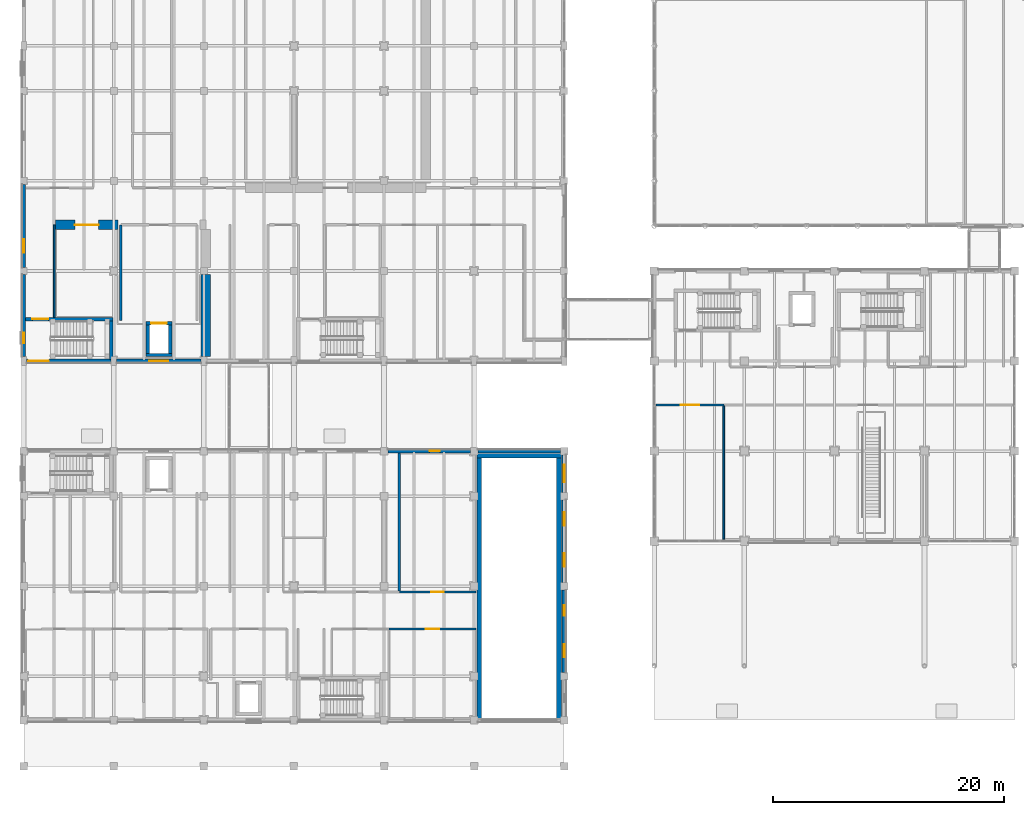
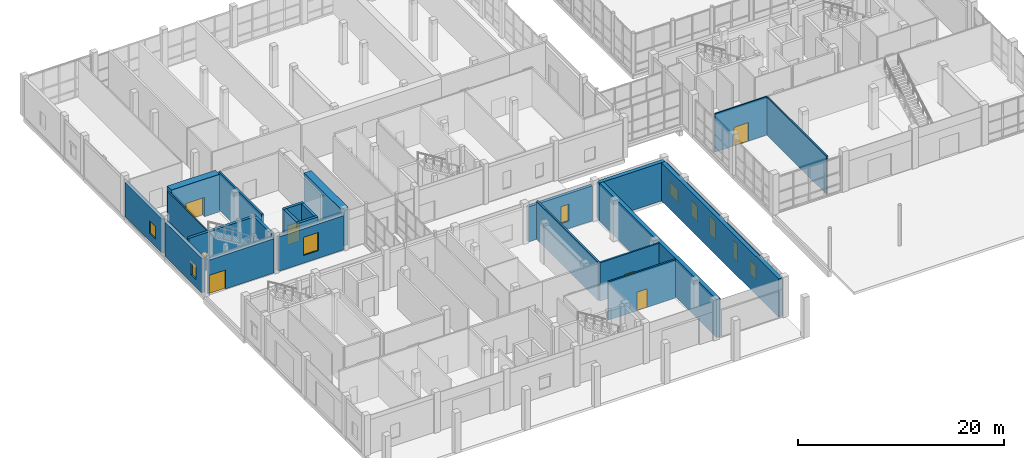
# One storey, part 93 of 131: 27 walls, 9 windows, 7 doors, 16 openings.
"""IFC4 building model written with IfcOpenShell, lengths in metres."""

from ifc_helpers import new_model, si_unit, direction, frame, frame_2d, origin, place, context, subcontext, project, spatial, rectangle, extrude, material, layer, layer_set, type_object, element, fill, save


model = new_model("IFC4")

# Units and contexts
model_context = context("Model", 3, precision=1e-05, world=origin(), true_north=direction((0.0, 1.0)))
body_context = subcontext(model_context, "Body", "Model", "MODEL_VIEW")
ifc_project = project(units=[si_unit("LENGTHUNIT", "METRE"), si_unit("AREAUNIT", "SQUARE_METRE"), si_unit("VOLUMEUNIT", "CUBIC_METRE"), si_unit("PLANEANGLEUNIT", "RADIAN"), si_unit("MASSUNIT", "GRAM", prefix="KILO")], contexts=[model_context])

# Site, building, storey
site_placement = place(None, origin())
site = spatial("IfcSite", under=ifc_project, at=site_placement, CompositionType="ELEMENT")
building_placement = place(site_placement, origin())
building = spatial("IfcBuilding", under=site, at=building_placement, Name="Celorna Specialist Clinic", CompositionType="ELEMENT")
storey_placement = place(building_placement, origin())
storey = spatial("IfcBuildingStorey", under=building, at=storey_placement, Name="L00", CompositionType="ELEMENT", Elevation=0.0)

# Wall, opening, door
ifc_material_1 = material(Name="Concrete C40/50", Category="concrete")
ifc_layer_1 = layer(ifc_material_1, 0.800048828125, Name="Concrete C40/50")
ifc_layer_set_1 = layer_set([ifc_layer_1], Name="Concrete C40/50")
wall_type_1 = type_object("IfcWallType", Name="WT-02", PredefinedType="SOLIDWALL", material=ifc_layer_set_1)
wall_1_placement = place(storey_placement, frame((8.14990234375, 46.89990234375, 0.0), z_axis=(0.0, 0.0, 1.0), x_axis=(-1.0, 0.0, 0.0)))
wall_1 = element("IfcWall", 1, at=wall_1_placement, inside=storey, type_object=wall_type_1, Name="Interior partition WT-02 L00-026", PredefinedType="SOLIDWALL", context=body_context, shape_type="SweptSolid", body=[
    extrude(rectangle(XDim=5.389892578125, YDim=0.800048828125, at=frame_2d((2.69482421875, 0.0))), origin(), (0.0, 0.0, 1.0), 4.4599609375),
])
opening_1_placement = place(wall_1_placement, frame((1.6650390625, 0.0, 0.0)))
opening_1 = element("IfcOpeningElement", 2, at=opening_1_placement, cuts=wall_1, Name="Opening DR-18", PredefinedType="OPENING", context=body_context, shape_type="SweptSolid", body=[
    extrude(rectangle(XDim=2.050048828125, YDim=2.300048828125, at=frame_2d((1.02490234375, 1.14990234375))), frame((0.0, 0.409912109375, 0.0), z_axis=(0.0, -1.0, 0.0), x_axis=(1.0, 0.0, 0.0)), (0.0, 0.0, 1.0), 0.820068359375),
])
ifc_material_2 = material(Name="RF-shielded MRI suite double door")
door_type_1 = type_object("IfcDoorType", Name="DR-18", OperationType="DOUBLE_DOOR_SINGLE_SWING", PredefinedType="DOOR", material=ifc_material_2)
door_1_placement = place(opening_1_placement, origin())
door_1 = element("IfcDoor", 3, at=door_1_placement, inside=storey, type_object=door_type_1, Name="MRI Diagnostic Imaging Suite door L00-026", OperationType="DOUBLE_DOOR_SINGLE_SWING", OverallHeight=2.300048828125, OverallWidth=2.050048828125, PredefinedType="DOOR", context=body_context, shape_type="SweptSolid", body=[
    extrude(rectangle(XDim=2.050048828125, YDim=2.300048828125, at=frame_2d((1.02490234375, 1.14990234375))), frame((0.0, 0.02490234375, 0.0), z_axis=(0.0, -1.0, 0.0), x_axis=(1.0, 0.0, 0.0)), (0.0, 0.0, 1.0), 0.050048828125),
])
fill(opening_1, door_1)

# Walls
wall_2_placement = place(storey_placement, frame((15.77001953125, 35.47509765625, 0.0), z_axis=(0.0, 0.0, 1.0), x_axis=(0.0, 1.0, 0.0)))
element("IfcWall", 4, at=wall_2_placement, inside=storey, type_object=wall_type_1, Name="Room dividing partition WT-02 L00-026", PredefinedType="SOLIDWALL", context=body_context, shape_type="SweptSolid", body=[
    extrude(rectangle(XDim=7.125, YDim=0.800048828125, at=frame_2d((3.5625, 0.0))), origin(), (0.0, 0.0, 1.0), 4.4599609375),
])
ifc_material_3 = material(Name="Concrete C35/45", Category="concrete")
ifc_layer_2 = layer(ifc_material_3, 0.419921875, Name="Concrete C35/45")
ifc_layer_set_2 = layer_set([ifc_layer_2], Name="Concrete C35/45")
wall_type_2 = type_object("IfcWallType", Name="WT-05", PredefinedType="SOLIDWALL", material=ifc_layer_set_2)
for number, where, z_axis, x_axis, name in (
    (5, (39.43994140625, 4.0, 0.0), (0.0, 0.0, 1.0), (0.0, 1.0, 0.0), "Vehicle ramp RC enclosure wall L00 west"),
    (6, (46.360107421875, 4.0, 0.0), (0.0, 0.0, 1.0), (0.0, 1.0, 0.0), "Vehicle ramp RC enclosure wall L00 east"),
):
    element("IfcWall", number, at=place(storey_placement, frame(where, z_axis=z_axis, x_axis=x_axis)), inside=storey, type_object=wall_type_2, Name=name, PredefinedType="SOLIDWALL", context=body_context, shape_type="SweptSolid", body=[
        extrude(rectangle(XDim=22.89990234375, YDim=0.419921875, at=frame_2d((11.449951171875, 0.0))), origin(), (0.0, 0.0, 1.0), 4.5400390625),
    ])
wall_3_placement = place(storey_placement, frame((39.22998046875, 26.89990234375, 0.0), z_axis=(0.0, 0.0, 1.0), x_axis=(1.0, 0.0, 0.0)))
element("IfcWall", 7, at=wall_3_placement, inside=storey, type_object=wall_type_2, Name="Vehicle ramp RC headwall L00 north", PredefinedType="SOLIDWALL", context=body_context, shape_type="SweptSolid", body=[
    extrude(rectangle(XDim=7.340087890625, YDim=0.419921875, at=frame_2d((3.669921875, 0.0))), origin(), (0.0, 0.0, 1.0), 4.5400390625),
])

# Wall, opening, door
ifc_material_4 = material(Name="Pero Pinheiro Lioz limestone insulated masonry", Category="masonry")
ifc_layer_3 = layer(ifc_material_4, 0.340087890625, Name="Pero Pinheiro Lioz limestone insulated masonry")
ifc_layer_set_3 = layer_set([ifc_layer_3], Name="Pero Pinheiro Lioz limestone insulated masonry")
wall_type_3 = type_object("IfcWallType", Name="WT-07", PredefinedType="STANDARD", material=ifc_layer_set_3)
wall_4_placement = place(storey_placement, frame((7.550048828125, 35.10009765625, 0.0), z_axis=(0.0, 0.0, 1.0), x_axis=(-1.0, 0.0, 0.0)))
wall_4 = element("IfcWall", 8, at=wall_4_placement, inside=storey, type_object=wall_type_3, Name="External facade wall WT-07 #102", PredefinedType="STANDARD", context=body_context, shape_type="SweptSolid", body=[
    extrude(rectangle(XDim=7.300048828125, YDim=0.340087890625, at=frame_2d((3.64990234375, 0.0))), origin(), (0.0, 0.0, 1.0), 4.06005859375),
])
opening_2_placement = place(wall_4_placement, frame((5.3798828125, 0.0, 0.0)))
opening_2 = element("IfcOpeningElement", 9, at=opening_2_placement, cuts=wall_4, Name="Opening DR-14", PredefinedType="OPENING", context=body_context, shape_type="SweptSolid", body=[
    extrude(rectangle(XDim=1.800048828125, YDim=2.25, at=frame_2d((0.89990234375, 1.125))), frame((0.0, 0.179931640625, 0.0), z_axis=(0.0, -1.0, 0.0), x_axis=(1.0, 0.0, 0.0)), (0.0, 0.0, 1.0), 0.360107421875),
])
ifc_material_5 = material(Name="Glazed aluminium final exit double door", Category="aluminium")
door_type_2 = type_object("IfcDoorType", Name="DR-14", OperationType="DOUBLE_DOOR_SINGLE_SWING", PredefinedType="DOOR", material=ifc_material_5)
door_2_placement = place(opening_2_placement, origin())
door_2 = element("IfcDoor", 10, at=door_2_placement, inside=storey, type_object=door_type_2, Name="Pedestrian final exit E06", OperationType="DOUBLE_DOOR_SINGLE_SWING", OverallHeight=2.25, OverallWidth=1.800048828125, PredefinedType="DOOR", context=body_context, shape_type="SweptSolid", body=[
    extrude(rectangle(XDim=1.800048828125, YDim=2.25, at=frame_2d((0.89990234375, 1.125))), frame((0.0, 0.02490234375, 0.0), z_axis=(0.0, -1.0, 0.0), x_axis=(1.0, 0.0, 0.0)), (0.0, 0.0, 1.0), 0.050048828125),
])
fill(opening_2, door_2)

# Wall, opening, window
wall_5_placement = place(storey_placement, frame((15.35009765625, 35.10009765625, 0.0), z_axis=(0.0, 0.0, 1.0), x_axis=(-1.0, 0.0, 0.0)))
wall_5 = element("IfcWall", 11, at=wall_5_placement, inside=storey, type_object=wall_type_3, Name="External facade wall WT-07 #103", PredefinedType="STANDARD", context=body_context, shape_type="SweptSolid", body=[
    extrude(rectangle(XDim=7.300048828125, YDim=0.340087890625, at=frame_2d((3.64990234375, 0.0))), origin(), (0.0, 0.0, 1.0), 4.06005859375),
])
opening_3_placement = place(wall_5_placement, frame((2.824951171875, 0.0, 0.89990234375)))
opening_3 = element("IfcOpeningElement", 12, at=opening_3_placement, cuts=wall_5, Name="Opening WN-25", PredefinedType="OPENING", context=body_context, shape_type="SweptSolid", body=[
    extrude(rectangle(XDim=1.64990234375, YDim=2.14990234375, at=frame_2d((0.824951171875, 1.074951171875))), frame((0.0, 0.179931640625, 0.0), z_axis=(0.0, -1.0, 0.0), x_axis=(1.0, 0.0, 0.0)), (0.0, 0.0, 1.0), 0.360107421875),
])
ifc_material_6 = material(Name="Thermally broken aluminium triple-glazed window", Category="aluminium")
window_type_1 = type_object("IfcWindowType", Name="WN-25", PartitioningType="SINGLE_PANEL", PredefinedType="WINDOW", material=ifc_material_6)
window_1_placement = place(opening_3_placement, origin())
window_1 = element("IfcWindow", 13, at=window_1_placement, inside=storey, type_object=window_type_1, Name="Facade window WN-25 #20", OverallHeight=2.14990234375, OverallWidth=1.64990234375, PartitioningType="SINGLE_PANEL", PredefinedType="WINDOW", context=body_context, shape_type="SweptSolid", body=[
    extrude(rectangle(XDim=1.64990234375, YDim=2.14990234375, at=frame_2d((0.824951171875, 1.074951171875))), frame((0.0, 0.030029296875, 0.0), z_axis=(0.0, -1.0, 0.0), x_axis=(1.0, 0.0, 0.0)), (0.0, 0.0, 1.0), 0.06005859375),
])
fill(opening_3, window_1)

wall_6_placement = place(storey_placement, frame((0.0, 35.47509765625, 0.0), z_axis=(0.0, 0.0, 1.0), x_axis=(0.0, 1.0, 0.0)))
wall_6 = element("IfcWall", 14, at=wall_6_placement, inside=storey, type_object=wall_type_3, Name="External facade wall WT-07 #108", PredefinedType="STANDARD", context=body_context, shape_type="SweptSolid", body=[
    extrude(rectangle(XDim=7.125, YDim=0.340087890625, at=frame_2d((3.5625, 0.0))), origin(), (0.0, 0.0, 1.0), 4.06005859375),
])
opening_4_placement = place(wall_6_placement, frame((1.1875, 0.0, 0.89990234375)))
opening_4 = element("IfcOpeningElement", 15, at=opening_4_placement, cuts=wall_6, Name="Opening WN-01", PredefinedType="OPENING", context=body_context, shape_type="SweptSolid", body=[
    extrude(rectangle(XDim=0.89990234375, YDim=1.60009765625, at=frame_2d((0.449951171875, 0.800048828125))), frame((0.0, 0.179931640625, 0.0), z_axis=(0.0, -1.0, 0.0), x_axis=(1.0, 0.0, 0.0)), (0.0, 0.0, 1.0), 0.360107421875),
])
window_type_2 = type_object("IfcWindowType", Name="WN-01", PartitioningType="SINGLE_PANEL", PredefinedType="WINDOW", material=ifc_material_6)
window_2_placement = place(opening_4_placement, origin())
window_2 = element("IfcWindow", 16, at=window_2_placement, inside=storey, type_object=window_type_2, Name="Facade window WN-01 #24", OverallHeight=1.60009765625, OverallWidth=0.89990234375, PartitioningType="SINGLE_PANEL", PredefinedType="WINDOW", context=body_context, shape_type="SweptSolid", body=[
    extrude(rectangle(XDim=0.89990234375, YDim=1.60009765625, at=frame_2d((0.449951171875, 0.800048828125))), frame((0.0, 0.030029296875, 0.0), z_axis=(0.0, -1.0, 0.0), x_axis=(1.0, 0.0, 0.0)), (0.0, 0.0, 1.0), 0.06005859375),
])
fill(opening_4, window_2)

wall_7_placement = place(storey_placement, frame((0.0, 43.199951171875, 0.0), z_axis=(0.0, 0.0, 1.0), x_axis=(0.0, 1.0, 0.0)))
wall_7 = element("IfcWall", 17, at=wall_7_placement, inside=storey, type_object=wall_type_3, Name="External facade wall WT-07 #109", PredefinedType="STANDARD", context=body_context, shape_type="SweptSolid", body=[
    extrude(rectangle(XDim=7.199951171875, YDim=0.340087890625, at=frame_2d((3.60009765625, 0.0))), origin(), (0.0, 0.0, 1.0), 4.06005859375),
])
opening_5_placement = place(wall_7_placement, frame((1.260009765625, 0.0, 0.89990234375)))
opening_5 = element("IfcOpeningElement", 18, at=opening_5_placement, cuts=wall_7, Name="Opening WN-04", PredefinedType="OPENING", context=body_context, shape_type="SweptSolid", body=[
    extrude(rectangle(XDim=1.199951171875, YDim=1.5, at=frame_2d((0.60009765625, 0.75))), frame((0.0, 0.179931640625, 0.0), z_axis=(0.0, -1.0, 0.0), x_axis=(1.0, 0.0, 0.0)), (0.0, 0.0, 1.0), 0.360107421875),
])
window_type_3 = type_object("IfcWindowType", Name="WN-04", PartitioningType="SINGLE_PANEL", PredefinedType="WINDOW", material=ifc_material_6)
window_3_placement = place(opening_5_placement, origin())
window_3 = element("IfcWindow", 19, at=window_3_placement, inside=storey, type_object=window_type_3, Name="Facade window WN-04 #25", OverallHeight=1.5, OverallWidth=1.199951171875, PartitioningType="SINGLE_PANEL", PredefinedType="WINDOW", context=body_context, shape_type="SweptSolid", body=[
    extrude(rectangle(XDim=1.199951171875, YDim=1.5, at=frame_2d((0.60009765625, 0.75))), frame((0.0, 0.030029296875, 0.0), z_axis=(0.0, -1.0, 0.0), x_axis=(1.0, 0.0, 0.0)), (0.0, 0.0, 1.0), 0.06005859375),
])
fill(opening_5, window_3)

wall_8_placement = place(storey_placement, frame((31.52490234375, 27.300048828125, 0.0), z_axis=(0.0, 0.0, 1.0), x_axis=(1.0, 0.0, 0.0)))
wall_8 = element("IfcWall", 20, at=wall_8_placement, inside=storey, type_object=wall_type_3, Name="External facade wall WT-07 #310", PredefinedType="STANDARD", context=body_context, shape_type="SweptSolid", body=[
    extrude(rectangle(XDim=7.150146484375, YDim=0.340087890625, at=frame_2d((3.5751953125, 0.0))), origin(), (0.0, 0.0, 1.0), 4.139892578125),
])
opening_6_placement = place(wall_8_placement, frame((3.612548828125, 0.0, 0.89990234375)))
opening_6 = element("IfcOpeningElement", 21, at=opening_6_placement, cuts=wall_8, Name="Opening WN-02", PredefinedType="OPENING", context=body_context, shape_type="SweptSolid", body=[
    extrude(rectangle(XDim=0.89990234375, YDim=2.0, at=frame_2d((0.449951171875, 1.0))), frame((0.0, 0.179931640625, 0.0), z_axis=(0.0, -1.0, 0.0), x_axis=(1.0, 0.0, 0.0)), (0.0, 0.0, 1.0), 0.360107421875),
])
window_type_4 = type_object("IfcWindowType", Name="WN-02", PartitioningType="SINGLE_PANEL", PredefinedType="WINDOW", material=ifc_material_6)
window_4_placement = place(opening_6_placement, origin())
window_4 = element("IfcWindow", 22, at=window_4_placement, inside=storey, type_object=window_type_4, Name="Facade window WN-02 #184", OverallHeight=2.0, OverallWidth=0.89990234375, PartitioningType="SINGLE_PANEL", PredefinedType="WINDOW", context=body_context, shape_type="SweptSolid", body=[
    extrude(rectangle(XDim=0.89990234375, YDim=2.0, at=frame_2d((0.449951171875, 1.0))), frame((0.0, 0.030029296875, 0.0), z_axis=(0.0, -1.0, 0.0), x_axis=(1.0, 0.0, 0.0)), (0.0, 0.0, 1.0), 0.06005859375),
])
fill(opening_6, window_4)

# Wall
wall_9_placement = place(storey_placement, frame((39.324951171875, 27.300048828125, 0.0), z_axis=(0.0, 0.0, 1.0), x_axis=(1.0, 0.0, 0.0)))
element("IfcWall", 23, at=wall_9_placement, inside=storey, type_object=wall_type_3, Name="External facade wall WT-07 #311", PredefinedType="STANDARD", context=body_context, shape_type="SweptSolid", body=[
    extrude(rectangle(XDim=7.150146484375, YDim=0.340087890625, at=frame_2d((3.5751953125, 0.0))), origin(), (0.0, 0.0, 1.0), 4.139892578125),
])

# Wall, openings, windows
wall_10_placement = place(storey_placement, frame((46.800048828125, 15.27490234375, 0.0), z_axis=(0.0, 0.0, 1.0), x_axis=(0.0, -1.0, 0.0)))
wall_10 = element("IfcWall", 24, at=wall_10_placement, inside=storey, type_object=wall_type_3, Name="External facade wall WT-07 #317", PredefinedType="STANDARD", context=body_context, shape_type="SweptSolid", body=[
    extrude(rectangle(XDim=7.14990234375, YDim=0.340087890625, at=frame_2d((3.574951171875, 0.0))), origin(), (0.0, 0.0, 1.0), 4.139892578125),
])
opening_7_placement = place(wall_10_placement, frame((1.324951171875, 0.0, 0.89990234375)))
opening_7 = element("IfcOpeningElement", 25, at=opening_7_placement, cuts=wall_10, Name="Opening WN-02", PredefinedType="OPENING", context=body_context, shape_type="SweptSolid", body=[
    extrude(rectangle(XDim=0.89990234375, YDim=2.0, at=frame_2d((0.449951171875, 1.0))), frame((0.0, 0.179931640625, 0.0), z_axis=(0.0, -1.0, 0.0), x_axis=(1.0, 0.0, 0.0)), (0.0, 0.0, 1.0), 0.360107421875),
])
opening_8_placement = place(wall_10_placement, frame((4.702392578125, 0.0, 0.89990234375)))
opening_8 = element("IfcOpeningElement", 26, at=opening_8_placement, cuts=wall_10, Name="Opening WN-03", PredefinedType="OPENING", context=body_context, shape_type="SweptSolid", body=[
    extrude(rectangle(XDim=1.10009765625, YDim=1.60009765625, at=frame_2d((0.550048828125, 0.800048828125))), frame((0.0, 0.179931640625, 0.0), z_axis=(0.0, -1.0, 0.0), x_axis=(1.0, 0.0, 0.0)), (0.0, 0.0, 1.0), 0.360107421875),
])
window_5_placement = place(opening_7_placement, origin())
window_5 = element("IfcWindow", 27, at=window_5_placement, inside=storey, type_object=window_type_4, Name="Facade window WN-02 #187", OverallHeight=2.0, OverallWidth=0.89990234375, PartitioningType="SINGLE_PANEL", PredefinedType="WINDOW", context=body_context, shape_type="SweptSolid", body=[
    extrude(rectangle(XDim=0.89990234375, YDim=2.0, at=frame_2d((0.449951171875, 1.0))), frame((0.0, 0.030029296875, 0.0), z_axis=(0.0, -1.0, 0.0), x_axis=(1.0, 0.0, 0.0)), (0.0, 0.0, 1.0), 0.06005859375),
])
fill(opening_7, window_5)
window_type_5 = type_object("IfcWindowType", Name="WN-03", PartitioningType="SINGLE_PANEL", PredefinedType="WINDOW", material=ifc_material_6)
window_6_placement = place(opening_8_placement, origin())
window_6 = element("IfcWindow", 28, at=window_6_placement, inside=storey, type_object=window_type_5, Name="Facade window WN-03 #188", OverallHeight=1.60009765625, OverallWidth=1.10009765625, PartitioningType="SINGLE_PANEL", PredefinedType="WINDOW", context=body_context, shape_type="SweptSolid", body=[
    extrude(rectangle(XDim=1.10009765625, YDim=1.60009765625, at=frame_2d((0.550048828125, 0.800048828125))), frame((0.0, 0.030029296875, 0.0), z_axis=(0.0, -1.0, 0.0), x_axis=(1.0, 0.0, 0.0)), (0.0, 0.0, 1.0), 0.06005859375),
])
fill(opening_8, window_6)

wall_11_placement = place(storey_placement, frame((46.800048828125, 23.074951171875, 0.0), z_axis=(0.0, 0.0, 1.0), x_axis=(0.0, -1.0, 0.0)))
wall_11 = element("IfcWall", 29, at=wall_11_placement, inside=storey, type_object=wall_type_3, Name="External facade wall WT-07 #318", PredefinedType="STANDARD", context=body_context, shape_type="SweptSolid", body=[
    extrude(rectangle(XDim=7.14990234375, YDim=0.340087890625, at=frame_2d((3.574951171875, 0.0))), origin(), (0.0, 0.0, 1.0), 4.139892578125),
])
opening_9_placement = place(wall_11_placement, frame((1.047607421875, 0.0, 0.89990234375)))
opening_9 = element("IfcOpeningElement", 30, at=opening_9_placement, cuts=wall_11, Name="Opening WN-05", PredefinedType="OPENING", context=body_context, shape_type="SweptSolid", body=[
    extrude(rectangle(XDim=1.199951171875, YDim=1.800048828125, at=frame_2d((0.60009765625, 0.89990234375))), frame((0.0, 0.179931640625, 0.0), z_axis=(0.0, -1.0, 0.0), x_axis=(1.0, 0.0, 0.0)), (0.0, 0.0, 1.0), 0.360107421875),
])
opening_10_placement = place(wall_11_placement, frame((4.6025390625, 0.0, 0.89990234375)))
opening_10 = element("IfcOpeningElement", 31, at=opening_10_placement, cuts=wall_11, Name="Opening WN-06", PredefinedType="OPENING", context=body_context, shape_type="SweptSolid", body=[
    extrude(rectangle(XDim=1.199951171875, YDim=2.10009765625, at=frame_2d((0.60009765625, 1.050048828125))), frame((0.0, 0.179931640625, 0.0), z_axis=(0.0, -1.0, 0.0), x_axis=(1.0, 0.0, 0.0)), (0.0, 0.0, 1.0), 0.360107421875),
])
window_type_6 = type_object("IfcWindowType", Name="WN-05", PartitioningType="SINGLE_PANEL", PredefinedType="WINDOW", material=ifc_material_6)
window_7_placement = place(opening_9_placement, origin())
window_7 = element("IfcWindow", 32, at=window_7_placement, inside=storey, type_object=window_type_6, Name="Facade window WN-05 #189", OverallHeight=1.800048828125, OverallWidth=1.199951171875, PartitioningType="SINGLE_PANEL", PredefinedType="WINDOW", context=body_context, shape_type="SweptSolid", body=[
    extrude(rectangle(XDim=1.199951171875, YDim=1.800048828125, at=frame_2d((0.60009765625, 0.89990234375))), frame((0.0, 0.030029296875, 0.0), z_axis=(0.0, -1.0, 0.0), x_axis=(1.0, 0.0, 0.0)), (0.0, 0.0, 1.0), 0.06005859375),
])
fill(opening_9, window_7)
window_type_7 = type_object("IfcWindowType", Name="WN-06", PartitioningType="SINGLE_PANEL", PredefinedType="WINDOW", material=ifc_material_6)
window_8_placement = place(opening_10_placement, origin())
window_8 = element("IfcWindow", 33, at=window_8_placement, inside=storey, type_object=window_type_7, Name="Facade window WN-06 #190", OverallHeight=2.10009765625, OverallWidth=1.199951171875, PartitioningType="SINGLE_PANEL", PredefinedType="WINDOW", context=body_context, shape_type="SweptSolid", body=[
    extrude(rectangle(XDim=1.199951171875, YDim=2.10009765625, at=frame_2d((0.60009765625, 1.050048828125))), frame((0.0, 0.030029296875, 0.0), z_axis=(0.0, -1.0, 0.0), x_axis=(1.0, 0.0, 0.0)), (0.0, 0.0, 1.0), 0.06005859375),
])
fill(opening_10, window_8)

# Wall, opening, window
wall_12_placement = place(storey_placement, frame((46.800048828125, 26.97509765625, 0.0), z_axis=(0.0, 0.0, 1.0), x_axis=(0.0, -1.0, 0.0)))
wall_12 = element("IfcWall", 34, at=wall_12_placement, inside=storey, type_object=wall_type_3, Name="External facade wall WT-07 #319", PredefinedType="STANDARD", context=body_context, shape_type="SweptSolid", body=[
    extrude(rectangle(XDim=3.25, YDim=0.340087890625, at=frame_2d((1.625, 0.0))), origin(), (0.0, 0.0, 1.0), 4.139892578125),
])
opening_11_placement = place(wall_12_placement, frame((0.875, 0.0, 0.89990234375)))
opening_11 = element("IfcOpeningElement", 35, at=opening_11_placement, cuts=wall_12, Name="Opening WN-08", PredefinedType="OPENING", context=body_context, shape_type="SweptSolid", body=[
    extrude(rectangle(XDim=1.5, YDim=1.5, at=frame_2d((0.75, 0.75))), frame((0.0, 0.179931640625, 0.0), z_axis=(0.0, -1.0, 0.0), x_axis=(1.0, 0.0, 0.0)), (0.0, 0.0, 1.0), 0.360107421875),
])
window_type_8 = type_object("IfcWindowType", Name="WN-08", PartitioningType="SINGLE_PANEL", PredefinedType="WINDOW", material=ifc_material_6)
window_9_placement = place(opening_11_placement, origin())
window_9 = element("IfcWindow", 36, at=window_9_placement, inside=storey, type_object=window_type_8, Name="Facade window WN-08 #191", OverallHeight=1.5, OverallWidth=1.5, PartitioningType="SINGLE_PANEL", PredefinedType="WINDOW", context=body_context, shape_type="SweptSolid", body=[
    extrude(rectangle(XDim=1.5, YDim=1.5, at=frame_2d((0.75, 0.75))), frame((0.0, 0.030029296875, 0.0), z_axis=(0.0, -1.0, 0.0), x_axis=(1.0, 0.0, 0.0)), (0.0, 0.0, 1.0), 0.06005859375),
])
fill(opening_11, window_9)

# Wall, opening, door
ifc_layer_4 = layer(ifc_material_3, 0.300048828125, Name="Concrete C35/45")
ifc_layer_set_4 = layer_set([ifc_layer_4], Name="Concrete C35/45")
wall_type_4 = type_object("IfcWallType", Name="WT-08", PredefinedType="SHEAR", material=ifc_layer_set_4)
wall_13_placement = place(storey_placement, frame((7.739990234375, 38.72998046875, 0.0), z_axis=(0.0, 0.0, 1.0), x_axis=(-1.0, 0.0, 0.0)))
wall_13 = element("IfcWall", 37, at=wall_13_placement, inside=storey, type_object=wall_type_4, Name="Stair ST-06 RC core wall L00 north", PredefinedType="SHEAR", context=body_context, shape_type="SweptSolid", body=[
    extrude(rectangle(XDim=7.590087890625, YDim=0.300048828125, at=frame_2d((3.794921875, 0.0))), origin(), (0.0, 0.0, 1.0), 4.4599609375),
])
opening_12_placement = place(wall_13_placement, frame((5.60009765625, 0.0, 0.0)))
opening_12 = element("IfcOpeningElement", 38, at=opening_12_placement, cuts=wall_13, Name="Opening DR-10", PredefinedType="OPENING", context=body_context, shape_type="SweptSolid", body=[
    extrude(rectangle(XDim=1.39990234375, YDim=2.199951171875, at=frame_2d((0.699951171875, 1.10009765625))), frame((0.0, 0.159912109375, 0.0), z_axis=(0.0, -1.0, 0.0), x_axis=(1.0, 0.0, 0.0)), (0.0, 0.0, 1.0), 0.320068359375),
])
ifc_material_7 = material(Name="Protected exit stair fire door")
door_type_3 = type_object("IfcDoorType", Name="DR-10", OperationType="NOTDEFINED", PredefinedType="DOOR", material=ifc_material_7)
door_3_placement = place(opening_12_placement, origin())
door_3 = element("IfcDoor", 39, at=door_3_placement, inside=storey, type_object=door_type_3, Name="Protected exit stair door ST-06 L00", OperationType="SINGLE_SWING_LEFT", OverallHeight=2.199951171875, OverallWidth=1.39990234375, PredefinedType="DOOR", context=body_context, shape_type="SweptSolid", body=[
    extrude(rectangle(XDim=1.39990234375, YDim=2.199951171875, at=frame_2d((0.699951171875, 1.10009765625))), frame((0.0, 0.02490234375, 0.0), z_axis=(0.0, -1.0, 0.0), x_axis=(1.0, 0.0, 0.0)), (0.0, 0.0, 1.0), 0.050048828125),
])
fill(opening_12, door_3)

# Walls
wall_14_placement = place(storey_placement, frame((7.590087890625, 35.25, 0.0), z_axis=(0.0, 0.0, 1.0), x_axis=(0.0, 1.0, 0.0)))
element("IfcWall", 40, at=wall_14_placement, inside=storey, type_object=wall_type_4, Name="Stair ST-06 RC core wall L00 east", PredefinedType="SHEAR", context=body_context, shape_type="SweptSolid", body=[
    extrude(rectangle(XDim=3.330078125, YDim=0.300048828125, at=frame_2d((1.6650390625, 0.0))), origin(), (0.0, 0.0, 1.0), 4.4599609375),
])
wall_15_placement = place(storey_placement, frame((10.574951171875, 35.625, 0.0), z_axis=(0.0, 0.0, 1.0), x_axis=(1.0, 0.0, 0.0)))
element("IfcWall", 41, at=wall_15_placement, inside=storey, type_object=wall_type_4, Name="Lift LF-06 RC shaft wall L00", PredefinedType="SHEAR", context=body_context, shape_type="SweptSolid", body=[
    extrude(rectangle(XDim=2.25, YDim=0.300048828125, at=frame_2d((1.125, 0.0))), origin(), (0.0, 0.0, 1.0), 4.4599609375),
])

# Wall, opening, door
wall_16_placement = place(storey_placement, frame((12.824951171875, 38.375, 0.0), z_axis=(0.0, 0.0, 1.0), x_axis=(-1.0, 0.0, 0.0)))
wall_16 = element("IfcWall", 42, at=wall_16_placement, inside=storey, type_object=wall_type_4, Name="Lift LF-06 RC shaft wall L00", PredefinedType="SHEAR", context=body_context, shape_type="SweptSolid", body=[
    extrude(rectangle(XDim=2.25, YDim=0.300048828125, at=frame_2d((1.125, 0.0))), origin(), (0.0, 0.0, 1.0), 4.4599609375),
])
opening_13_placement = place(wall_16_placement, frame((0.449951171875, 0.0, 0.0)))
opening_13 = element("IfcOpeningElement", 43, at=opening_13_placement, cuts=wall_16, Name="Opening LD-02", PredefinedType="OPENING", context=body_context, shape_type="SweptSolid", body=[
    extrude(rectangle(XDim=1.35009765625, YDim=2.300048828125, at=frame_2d((0.675048828125, 1.14990234375))), frame((0.0, 0.159912109375, 0.0), z_axis=(0.0, -1.0, 0.0), x_axis=(1.0, 0.0, 0.0)), (0.0, 0.0, 1.0), 0.320068359375),
])
ifc_material_8 = material(Name="Firefighting stretcher lift landing sliding door")
door_type_4 = type_object("IfcDoorType", Name="LD-02", OperationType="DOUBLE_DOOR_SLIDING", PredefinedType="DOOR", material=ifc_material_8)
door_4_placement = place(opening_13_placement, origin())
door_4 = element("IfcDoor", 44, at=door_4_placement, inside=storey, type_object=door_type_4, Name="Lift LF-06 sliding landing door L00", OperationType="DOUBLE_DOOR_SLIDING", OverallHeight=2.300048828125, OverallWidth=1.35009765625, PredefinedType="DOOR", context=body_context, shape_type="SweptSolid", body=[
    extrude(rectangle(XDim=1.35009765625, YDim=2.300048828125, at=frame_2d((0.675048828125, 1.14990234375))), frame((0.0, 0.02490234375, 0.0), z_axis=(0.0, -1.0, 0.0), x_axis=(1.0, 0.0, 0.0)), (0.0, 0.0, 1.0), 0.050048828125),
])
fill(opening_13, door_4)

# Walls
for number, where, z_axis, x_axis, name in (
    (45, (10.72509765625, 38.22509765625, 0.0), (0.0, 0.0, 1.0), (0.0, -1.0, 0.0), "Lift LF-06 RC shaft wall L00"),
    (46, (12.675048828125, 35.77490234375, 0.0), (0.0, 0.0, 1.0), (0.0, 1.0, 0.0), "Lift LF-06 RC shaft wall L00"),
):
    element("IfcWall", number, at=place(storey_placement, frame(where, z_axis=z_axis, x_axis=x_axis)), inside=storey, type_object=wall_type_4, Name=name, PredefinedType="SHEAR", context=body_context, shape_type="SweptSolid", body=[
        extrude(rectangle(XDim=2.4501953125, YDim=0.300048828125, at=frame_2d((1.22509765625, 0.0))), origin(), (0.0, 0.0, 1.0), 4.4599609375),
    ])
ifc_layer_5 = layer(ifc_material_3, 0.199951171875, Name="Concrete C35/45")
ifc_layer_set_5 = layer_set([ifc_layer_5], Name="Concrete C35/45")
wall_type_5 = type_object("IfcWallType", Name="WT-12", PredefinedType="SOLIDWALL", material=ifc_layer_set_5)
wall_17_placement = place(storey_placement, frame((8.39990234375, 46.89990234375, 0.0), z_axis=(0.0, 0.0, 1.0), x_axis=(0.0, -1.0, 0.0)))
element("IfcWall", 47, at=wall_17_placement, inside=storey, type_object=wall_type_5, Name="Lift lobby wall LF-06 L00", PredefinedType="SOLIDWALL", context=body_context, shape_type="SweptSolid", body=[
    extrude(rectangle(XDim=8.2998046875, YDim=0.199951171875, at=frame_2d((4.14990234375, 0.0))), origin(), (0.0, 0.0, 1.0), 4.4599609375),
])
wall_18_placement = place(storey_placement, frame((32.52001953125, 15.199951171875, 0.0), z_axis=(0.0, 0.0, 1.0), x_axis=(0.0, 1.0, 0.0)))
element("IfcWall", 48, at=wall_18_placement, inside=storey, type_object=wall_type_5, Name="Room dividing partition WT-12 L00-098", PredefinedType="SOLIDWALL", context=body_context, shape_type="SweptSolid", body=[
    extrude(rectangle(XDim=11.929931640625, YDim=0.199951171875, at=frame_2d((5.96484375, 0.0))), origin(), (0.0, 0.0, 1.0), 4.5400390625),
])

# Wall, opening, door
ifc_material_9 = material(Name="Acoustic masonry clinical partition", Category="masonry")
ifc_layer_6 = layer(ifc_material_9, 0.179931640625, Name="Acoustic masonry clinical partition")
ifc_layer_set_6 = layer_set([ifc_layer_6], Name="Acoustic masonry clinical partition")
wall_type_6 = type_object("IfcWallType", Name="WT-13", PredefinedType="PARTITIONING", material=ifc_layer_set_6)
wall_19_placement = place(storey_placement, frame((39.14990234375, 11.89990234375, 0.0), z_axis=(0.0, 0.0, 1.0), x_axis=(-1.0, 0.0, 0.0)))
wall_19 = element("IfcWall", 49, at=wall_19_placement, inside=storey, type_object=wall_type_6, Name="Interior partition WT-13 L00-095", PredefinedType="PARTITIONING", context=body_context, shape_type="SweptSolid", body=[
    extrude(rectangle(XDim=7.52978515625, YDim=0.179931640625, at=frame_2d((3.764892578125, 0.0))), origin(), (0.0, 0.0, 1.0), 4.5400390625),
])
opening_14_placement = place(wall_19_placement, frame((3.18994140625, 0.0, 0.0)))
opening_14 = element("IfcOpeningElement", 50, at=opening_14_placement, cuts=wall_19, Name="Opening DR-07", PredefinedType="OPENING", context=body_context, shape_type="SweptSolid", body=[
    extrude(rectangle(XDim=1.14990234375, YDim=2.199951171875, at=frame_2d((0.574951171875, 1.10009765625))), frame((0.0, 0.099853515625, 0.0), z_axis=(0.0, -1.0, 0.0), x_axis=(1.0, 0.0, 0.0)), (0.0, 0.0, 1.0), 0.199951171875),
])
ifc_material_10 = material(Name="Hermetic cleanroom airlock door")
door_type_5 = type_object("IfcDoorType", Name="DR-07", OperationType="NOTDEFINED", PredefinedType="DOOR", material=ifc_material_10)
door_5_placement = place(opening_14_placement, origin())
door_5 = element("IfcDoor", 51, at=door_5_placement, inside=storey, type_object=door_type_5, Name="Clean Supply Receiving Room door L00-095", OperationType="SINGLE_SWING_RIGHT", OverallHeight=2.199951171875, OverallWidth=1.14990234375, PredefinedType="DOOR", context=body_context, shape_type="SweptSolid", body=[
    extrude(rectangle(XDim=1.14990234375, YDim=2.199951171875, at=frame_2d((0.574951171875, 1.10009765625))), frame((0.0, 0.02490234375, 0.0), z_axis=(0.0, -1.0, 0.0), x_axis=(1.0, 0.0, 0.0)), (0.0, 0.0, 1.0), 0.050048828125),
])
fill(opening_14, door_5)

wall_20_placement = place(storey_placement, frame((32.52001953125, 15.10009765625, 0.0), z_axis=(0.0, 0.0, 1.0), x_axis=(1.0, 0.0, 0.0)))
wall_20 = element("IfcWall", 52, at=wall_20_placement, inside=storey, type_object=wall_type_6, Name="Interior partition WT-13 L00-099", PredefinedType="PARTITIONING", context=body_context, shape_type="SweptSolid", body=[
    extrude(rectangle(XDim=6.6298828125, YDim=0.179931640625, at=frame_2d((3.31494140625, 0.0))), origin(), (0.0, 0.0, 1.0), 4.5400390625),
])
opening_15_placement = place(wall_20_placement, frame((2.77490234375, 0.0, 0.0)))
opening_15 = element("IfcOpeningElement", 53, at=opening_15_placement, cuts=wall_20, Name="Opening DR-21", PredefinedType="OPENING", context=body_context, shape_type="SweptSolid", body=[
    extrude(rectangle(XDim=1.080078125, YDim=2.199951171875, at=frame_2d((0.5400390625, 1.10009765625))), frame((0.0, 0.099853515625, 0.0), z_axis=(0.0, -1.0, 0.0), x_axis=(1.0, 0.0, 0.0)), (0.0, 0.0, 1.0), 0.199951171875),
])
ifc_material_11 = material(Name="Timber outpatient suite door", Category="wood")
door_type_6 = type_object("IfcDoorType", Name="DR-21", OperationType="NOTDEFINED", PredefinedType="DOOR", material=ifc_material_11)
door_6_placement = place(opening_15_placement, origin())
door_6 = element("IfcDoor", 54, at=door_6_placement, inside=storey, type_object=door_type_6, Name="Dispensing Pharmacy door L00-099", OperationType="SINGLE_SWING_RIGHT", OverallHeight=2.199951171875, OverallWidth=1.080078125, PredefinedType="DOOR", context=body_context, shape_type="SweptSolid", body=[
    extrude(rectangle(XDim=1.080078125, YDim=2.199951171875, at=frame_2d((0.5400390625, 1.10009765625))), frame((0.0, 0.02490234375, 0.0), z_axis=(0.0, -1.0, 0.0), x_axis=(1.0, 0.0, 0.0)), (0.0, 0.0, 1.0), 0.050048828125),
])
fill(opening_15, door_6)

# Wall
ifc_material_12 = material(Name="Fire-rated gypsum board partition")
ifc_layer_7 = layer(ifc_material_12, 0.14990234375, Name="Fire-rated gypsum board partition")
ifc_layer_set_7 = layer_set([ifc_layer_7], Name="Fire-rated gypsum board partition")
wall_type_7 = type_object("IfcWallType", Name="WT-14", PredefinedType="PARTITIONING", material=ifc_layer_set_7)
wall_21_placement = place(storey_placement, frame((2.639892578125, 38.8798828125, 0.0), z_axis=(0.0, 0.0, 1.0), x_axis=(0.0, 1.0, 0.0)))
element("IfcWall", 55, at=wall_21_placement, inside=storey, type_object=wall_type_7, Name="Corridor spur partition WT-14", PredefinedType="PARTITIONING", context=body_context, shape_type="SweptSolid", body=[
    extrude(rectangle(XDim=8.02001953125, YDim=0.14990234375, at=frame_2d((4.010009765625, 0.0))), origin(), (0.0, 0.0, 1.0), 4.1298828125),
])

# Wall, opening, door
wall_22_placement = place(storey_placement, frame((60.6201171875, 31.300048828125, 0.0), z_axis=(0.0, 0.0, 1.0), x_axis=(-1.0, 0.0, 0.0)))
wall_22 = element("IfcWall", 56, at=wall_22_placement, inside=storey, type_object=wall_type_7, Name="Interior partition WT-14 L00-102", PredefinedType="PARTITIONING", context=body_context, shape_type="SweptSolid", body=[
    extrude(rectangle(XDim=5.85009765625, YDim=0.14990234375, at=frame_2d((2.925048828125, 0.0))), origin(), (0.0, 0.0, 1.0), 4.5400390625),
])
opening_16_placement = place(wall_22_placement, frame((2.125, 0.0, 0.0)))
opening_16 = element("IfcOpeningElement", 57, at=opening_16_placement, cuts=wall_22, Name="Opening DR-12", PredefinedType="OPENING", context=body_context, shape_type="SweptSolid", body=[
    extrude(rectangle(XDim=1.60009765625, YDim=2.199951171875, at=frame_2d((0.800048828125, 1.10009765625))), frame((0.0, 0.0849609375, 0.0), z_axis=(0.0, -1.0, 0.0), x_axis=(1.0, 0.0, 0.0)), (0.0, 0.0, 1.0), 0.169921875),
])
ifc_material_13 = material(Name="Corridor cross-compartment pair door")
door_type_7 = type_object("IfcDoorType", Name="DR-12", OperationType="DOUBLE_DOOR_SINGLE_SWING", PredefinedType="DOOR", material=ifc_material_13)
door_7_placement = place(opening_16_placement, origin())
door_7 = element("IfcDoor", 58, at=door_7_placement, inside=storey, type_object=door_type_7, Name="Main Entrance Foyer door L00-102", OperationType="DOUBLE_DOOR_SINGLE_SWING", OverallHeight=2.199951171875, OverallWidth=1.60009765625, PredefinedType="DOOR", context=body_context, shape_type="SweptSolid", body=[
    extrude(rectangle(XDim=1.60009765625, YDim=2.199951171875, at=frame_2d((0.800048828125, 1.10009765625))), frame((0.0, 0.02490234375, 0.0), z_axis=(0.0, -1.0, 0.0), x_axis=(1.0, 0.0, 0.0)), (0.0, 0.0, 1.0), 0.050048828125),
])
fill(opening_16, door_7)

# Wall
wall_23_placement = place(storey_placement, frame((60.6201171875, 19.669921875, 0.0), z_axis=(0.0, 0.0, 1.0), x_axis=(0.0, 1.0, 0.0)))
element("IfcWall", 59, at=wall_23_placement, inside=storey, type_object=wall_type_7, Name="Room dividing partition WT-14 L00-102", PredefinedType="PARTITIONING", context=body_context, shape_type="SweptSolid", body=[
    extrude(rectangle(XDim=11.55517578125, YDim=0.14990234375, at=frame_2d((5.777587890625, 0.0))), origin(), (0.0, 0.0, 1.0), 4.5400390625),
])

save(model, "model.ifc")
